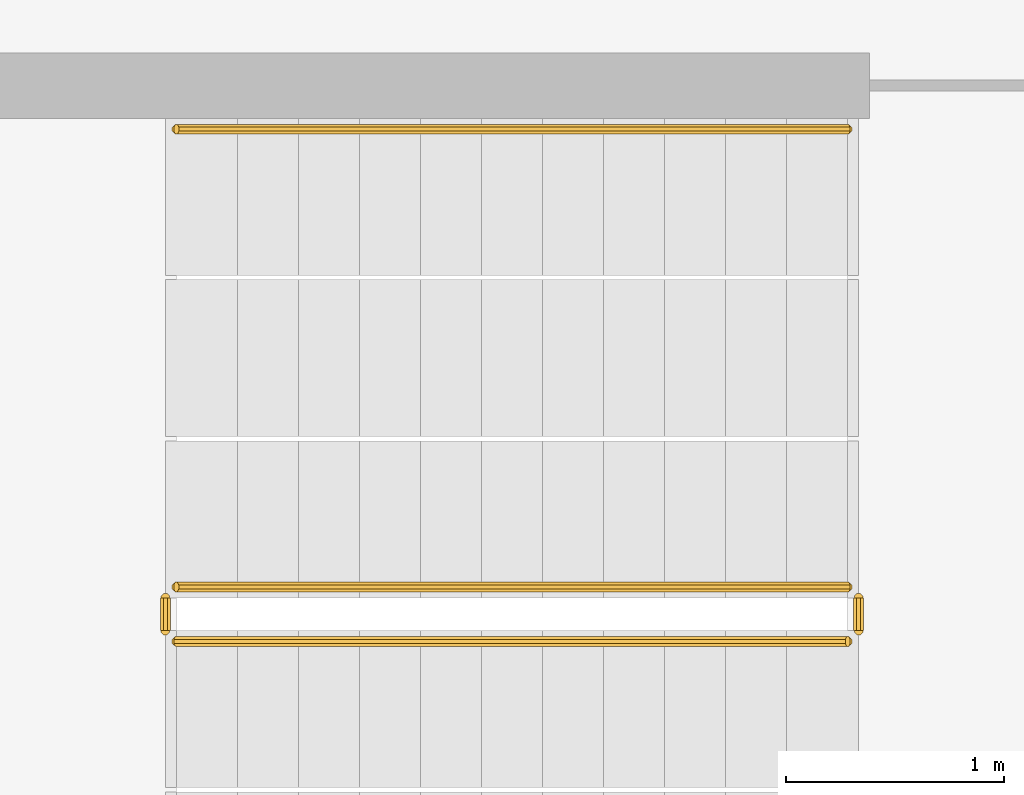
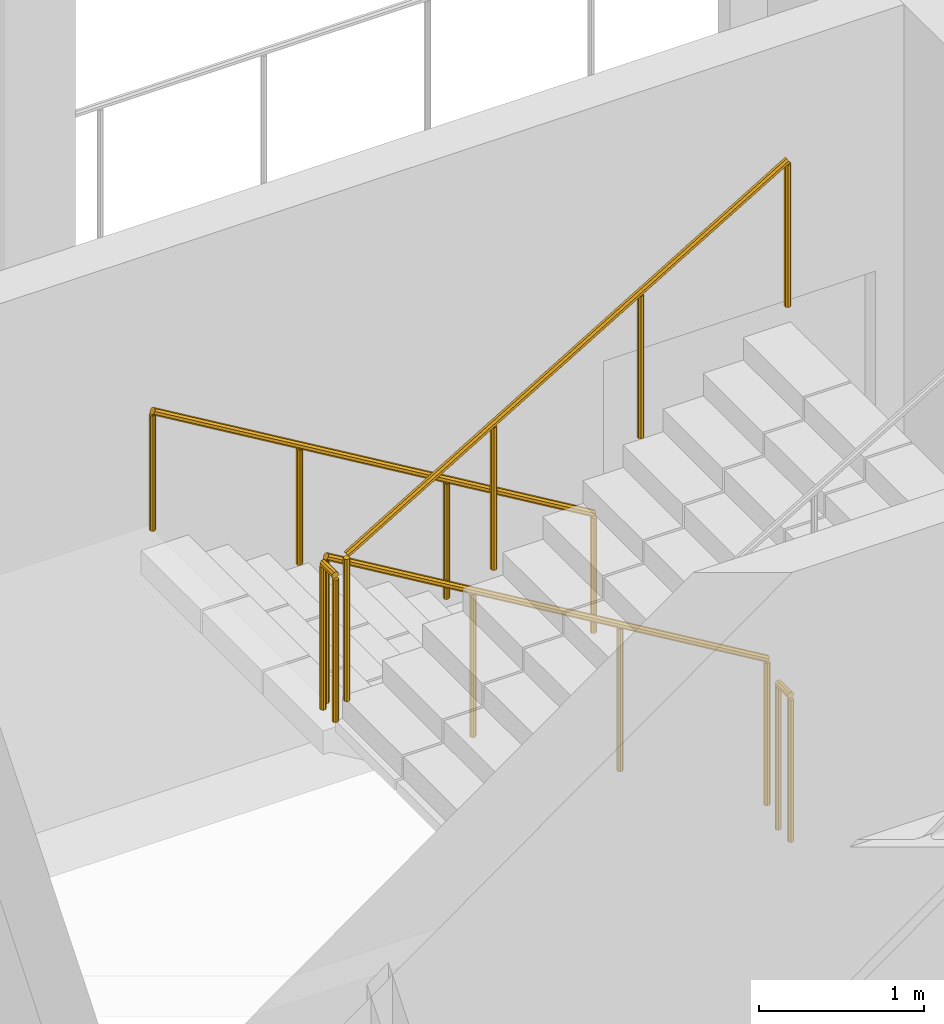
# One storey, part 20 of 28: 5 railings.
"""IFC4 building model written with IfcOpenShell, lengths in metres."""

from ifc_helpers import new_model, si_unit, direction, frame, origin, place, context, subcontext, project, spatial, polyline, outline, extrude, material, type_object, element, save


model = new_model("IFC4")

# Units and contexts
model_context = context("Model", 3, precision=1e-05, world=origin(), true_north=direction((0.0, 1.0)))
body_context = subcontext(model_context, "Body", "Model", "MODEL_VIEW")
ifc_project = project(units=[si_unit("LENGTHUNIT", "METRE"), si_unit("AREAUNIT", "SQUARE_METRE"), si_unit("VOLUMEUNIT", "CUBIC_METRE"), si_unit("PLANEANGLEUNIT", "RADIAN"), si_unit("MASSUNIT", "GRAM", prefix="KILO")], contexts=[model_context])

# Site, building, storey
site_placement = place(None, origin())
site = spatial("IfcSite", under=ifc_project, at=site_placement, CompositionType="ELEMENT")
building_placement = place(site_placement, origin())
building = spatial("IfcBuilding", under=site, at=building_placement, Name="Cormorant Relay Tower", CompositionType="ELEMENT")
storey_placement = place(building_placement, frame((0.0, 0.0, 166.199951171875)))
storey = spatial("IfcBuildingStorey", under=building, at=storey_placement, Name="L35", CompositionType="ELEMENT", Elevation=166.199951171875)

# Railings
ifc_material_1 = material(Name="Steel ASTM A572 Grade 50 (Fy 345 MPa)", Category="steel")
railing_type_1 = type_object("IfcRailingType", Name="Stair guard 1100", PredefinedType="GUARDRAIL", material=ifc_material_1)
railing_1_placement = place(storey_placement, frame((1.60009765625, -18.27490234375, 0.166748046875)))
element("IfcRailing", 1, at=railing_1_placement, inside=storey, type_object=railing_type_1, Name="L35 RK1 stair guard 1", PredefinedType="GUARDRAIL", context=body_context, shape_type="SweptSolid", body=[
    extrude(outline(polyline([(0.022216796875, 0.00927734375), (0.00927734375, 0.022216796875), (-0.00927734375, 0.022216796875), (-0.022216796875, 0.00927734375), (-0.022216796875, -0.00927734375), (-0.00927734375, -0.022216796875), (0.00927734375, -0.022216796875), (0.022216796875, -0.00927734375), (0.022216796875, 0.00927734375)])), frame((0.0, 0.0, 1.076171875), z_axis=(-0.859308565015, 0.0, 0.511457515432), x_axis=(0.0, -1.0, 0.0)), (0.0, 0.0, 1.0), 3.58447265625),
    extrude(outline(polyline([(0.019287109375, 0.008056640625), (0.008056640625, 0.019287109375), (-0.008056640625, 0.019287109375), (-0.019287109375, 0.008056640625), (-0.019287109375, -0.008056640625), (-0.008056640625, -0.019287109375), (0.008056640625, -0.019287109375), (0.019287109375, -0.008056640625), (0.019287109375, 0.008056640625)])), origin(), (0.0, 0.0, 1.0), 1.052001953125),
    extrude(outline(polyline([(0.019287109375, 0.008056640625), (0.008056640625, 0.019287109375), (-0.008056640625, 0.019287109375), (-0.019287109375, 0.008056640625), (-0.019287109375, -0.008056640625), (-0.008056640625, -0.019287109375), (0.008056640625, -0.019287109375), (0.019287109375, -0.008056640625), (0.019287109375, 0.008056640625)])), frame((-1.026611328125, 0.0, 0.611083984375)), (0.0, 0.0, 1.0), 1.052001953125),
    extrude(outline(polyline([(0.019287109375, 0.008056640625), (0.008056640625, 0.019287109375), (-0.008056640625, 0.019287109375), (-0.019287109375, 0.008056640625), (-0.019287109375, -0.008056640625), (-0.008056640625, -0.019287109375), (0.008056640625, -0.019287109375), (0.019287109375, -0.008056640625), (0.019287109375, 0.008056640625)])), frame((-2.053466796875, 0.0, 1.22216796875)), (0.0, 0.0, 1.0), 1.052001953125),
    extrude(outline(polyline([(0.019287109375, 0.008056640625), (0.008056640625, 0.019287109375), (-0.008056640625, 0.019287109375), (-0.019287109375, 0.008056640625), (-0.019287109375, -0.008056640625), (-0.008056640625, -0.019287109375), (0.008056640625, -0.019287109375), (0.019287109375, -0.008056640625), (0.019287109375, 0.008056640625)])), frame((-3.080078125, 0.0, 1.833251953125)), (0.0, 0.0, 1.0), 1.052001953125),
])
railing_2_placement = place(storey_placement, frame((-1.530029296875, -18.324951171875, 2.0)))
element("IfcRailing", 2, at=railing_2_placement, inside=storey, type_object=railing_type_1, Name="L35 RK1 stair guard 2", PredefinedType="GUARDRAIL", context=body_context, shape_type="SweptSolid", body=[
    extrude(outline(polyline([(0.022216796875, 0.00927734375), (0.00927734375, 0.022216796875), (-0.00927734375, 0.022216796875), (-0.022216796875, 0.00927734375), (-0.022216796875, -0.00927734375), (-0.00927734375, -0.022216796875), (0.00927734375, -0.022216796875), (0.022216796875, -0.00927734375), (0.022216796875, 0.00927734375)])), frame((0.0, 0.0, 1.076171875), z_axis=(0.0, -1.0, 0.0), x_axis=(1.0, 0.0, 0.0)), (0.0, 0.0, 1.0), 0.150146484375),
    extrude(outline(polyline([(0.019287109375, 0.008056640625), (0.008056640625, 0.019287109375), (-0.008056640625, 0.019287109375), (-0.019287109375, 0.008056640625), (-0.019287109375, -0.008056640625), (-0.008056640625, -0.019287109375), (0.008056640625, -0.019287109375), (0.019287109375, -0.008056640625), (0.019287109375, 0.008056640625)])), origin(), (0.0, 0.0, 1.0), 1.052001953125),
    extrude(outline(polyline([(0.019287109375, 0.008056640625), (0.008056640625, 0.019287109375), (-0.008056640625, 0.019287109375), (-0.019287109375, 0.008056640625), (-0.019287109375, -0.008056640625), (-0.008056640625, -0.019287109375), (0.008056640625, -0.019287109375), (0.019287109375, -0.008056640625), (0.019287109375, 0.008056640625)])), frame((0.0, -0.150146484375, 0.0)), (0.0, 0.0, 1.0), 1.052001953125),
])
railing_3_placement = place(storey_placement, frame((-1.47998046875, -18.52490234375, 2.166748046875)))
element("IfcRailing", 3, at=railing_3_placement, inside=storey, type_object=railing_type_1, Name="L35 RK1 stair guard 3", PredefinedType="GUARDRAIL", context=body_context, shape_type="SweptSolid", body=[
    extrude(outline(polyline([(0.022216796875, 0.00927734375), (0.00927734375, 0.022216796875), (-0.00927734375, 0.022216796875), (-0.022216796875, 0.00927734375), (-0.022216796875, -0.00927734375), (-0.00927734375, -0.022216796875), (0.00927734375, -0.022216796875), (0.022216796875, -0.00927734375), (0.022216796875, 0.00927734375)])), frame((0.0, 0.0, 1.076171875), z_axis=(0.859308565015, 0.0, 0.511457515432), x_axis=(0.0, 1.0, 0.0)), (0.0, 0.0, 1.0), 3.58447265625),
    extrude(outline(polyline([(0.019287109375, 0.008056640625), (0.008056640625, 0.019287109375), (-0.008056640625, 0.019287109375), (-0.019287109375, 0.008056640625), (-0.019287109375, -0.008056640625), (-0.008056640625, -0.019287109375), (0.008056640625, -0.019287109375), (0.019287109375, -0.008056640625), (0.019287109375, 0.008056640625)])), origin(), (0.0, 0.0, 1.0), 1.052001953125),
    extrude(outline(polyline([(0.019287109375, 0.008056640625), (0.008056640625, 0.019287109375), (-0.008056640625, 0.019287109375), (-0.019287109375, 0.008056640625), (-0.019287109375, -0.008056640625), (-0.008056640625, -0.019287109375), (0.008056640625, -0.019287109375), (0.019287109375, -0.008056640625), (0.019287109375, 0.008056640625)])), frame((1.026611328125, 0.0, 0.611083984375)), (0.0, 0.0, 1.0), 1.052001953125),
    extrude(outline(polyline([(0.019287109375, 0.008056640625), (0.008056640625, 0.019287109375), (-0.008056640625, 0.019287109375), (-0.019287109375, 0.008056640625), (-0.019287109375, -0.008056640625), (-0.008056640625, -0.019287109375), (0.008056640625, -0.019287109375), (0.019287109375, -0.008056640625), (0.019287109375, 0.008056640625)])), frame((2.053466796875, 0.0, 1.22216796875)), (0.0, 0.0, 1.0), 1.052001953125),
    extrude(outline(polyline([(0.019287109375, 0.008056640625), (0.008056640625, 0.019287109375), (-0.008056640625, 0.019287109375), (-0.019287109375, 0.008056640625), (-0.019287109375, -0.008056640625), (-0.008056640625, -0.019287109375), (0.008056640625, -0.019287109375), (0.019287109375, -0.008056640625), (0.019287109375, 0.008056640625)])), frame((3.080078125, 0.0, 1.833251953125)), (0.0, 0.0, 1.0), 1.052001953125),
])
railing_4_placement = place(storey_placement, frame((1.64990234375, -18.324951171875, 0.0)))
element("IfcRailing", 4, at=railing_4_placement, inside=storey, type_object=railing_type_1, Name="L35 RK1 stair guard 4", PredefinedType="GUARDRAIL", context=body_context, shape_type="SweptSolid", body=[
    extrude(outline(polyline([(0.022216796875, 0.00927734375), (0.00927734375, 0.022216796875), (-0.00927734375, 0.022216796875), (-0.022216796875, 0.00927734375), (-0.022216796875, -0.00927734375), (-0.00927734375, -0.022216796875), (0.00927734375, -0.022216796875), (0.022216796875, -0.00927734375), (0.022216796875, 0.00927734375)])), frame((0.0, 0.0, 1.076171875), z_axis=(0.0, -1.0, 0.0), x_axis=(1.0, 0.0, 0.0)), (0.0, 0.0, 1.0), 0.150146484375),
    extrude(outline(polyline([(0.019287109375, 0.008056640625), (0.008056640625, 0.019287109375), (-0.008056640625, 0.019287109375), (-0.019287109375, 0.008056640625), (-0.019287109375, -0.008056640625), (-0.008056640625, -0.019287109375), (0.008056640625, -0.019287109375), (0.019287109375, -0.008056640625), (0.019287109375, 0.008056640625)])), origin(), (0.0, 0.0, 1.0), 1.052001953125),
    extrude(outline(polyline([(0.019287109375, 0.008056640625), (0.008056640625, 0.019287109375), (-0.008056640625, 0.019287109375), (-0.019287109375, 0.008056640625), (-0.019287109375, -0.008056640625), (-0.008056640625, -0.019287109375), (0.008056640625, -0.019287109375), (0.019287109375, -0.008056640625), (0.019287109375, 0.008056640625)])), frame((0.0, -0.150146484375, 0.0)), (0.0, 0.0, 1.0), 1.052001953125),
])
ifc_material_2 = material(Name="Steel ASTM A572 Grade 50 (Fy 345 MPa)", Category="steel")
railing_type_2 = type_object("IfcRailingType", Name="Stair handrail 900", PredefinedType="HANDRAIL", material=ifc_material_2)
railing_5_placement = place(storey_placement, frame((1.60009765625, -16.175048828125, 0.166748046875)))
element("IfcRailing", 5, at=railing_5_placement, inside=storey, type_object=railing_type_2, Name="L35 RK1 stair handrail 1", PredefinedType="HANDRAIL", context=body_context, shape_type="SweptSolid", body=[
    extrude(outline(polyline([(0.022216796875, 0.00927734375), (0.00927734375, 0.022216796875), (-0.00927734375, 0.022216796875), (-0.022216796875, 0.00927734375), (-0.022216796875, -0.00927734375), (-0.00927734375, -0.022216796875), (0.00927734375, -0.022216796875), (0.022216796875, -0.00927734375), (0.022216796875, 0.00927734375)])), frame((0.0, 0.0, 0.8759765625), z_axis=(-0.859308565015, 0.0, 0.511457515432), x_axis=(0.0, -1.0, 0.0)), (0.0, 0.0, 1.0), 3.58447265625),
    extrude(outline(polyline([(0.019287109375, 0.008056640625), (0.008056640625, 0.019287109375), (-0.008056640625, 0.019287109375), (-0.019287109375, 0.008056640625), (-0.019287109375, -0.008056640625), (-0.008056640625, -0.019287109375), (0.008056640625, -0.019287109375), (0.019287109375, -0.008056640625), (0.019287109375, 0.008056640625)])), origin(), (0.0, 0.0, 1.0), 0.851806640625),
    extrude(outline(polyline([(0.019287109375, 0.008056640625), (0.008056640625, 0.019287109375), (-0.008056640625, 0.019287109375), (-0.019287109375, 0.008056640625), (-0.019287109375, -0.008056640625), (-0.008056640625, -0.019287109375), (0.008056640625, -0.019287109375), (0.019287109375, -0.008056640625), (0.019287109375, 0.008056640625)])), frame((-1.026611328125, 0.0, 0.611083984375)), (0.0, 0.0, 1.0), 0.851806640625),
    extrude(outline(polyline([(0.019287109375, 0.008056640625), (0.008056640625, 0.019287109375), (-0.008056640625, 0.019287109375), (-0.019287109375, 0.008056640625), (-0.019287109375, -0.008056640625), (-0.008056640625, -0.019287109375), (0.008056640625, -0.019287109375), (0.019287109375, -0.008056640625), (0.019287109375, 0.008056640625)])), frame((-2.053466796875, 0.0, 1.22216796875)), (0.0, 0.0, 1.0), 0.851806640625),
    extrude(outline(polyline([(0.019287109375, 0.008056640625), (0.008056640625, 0.019287109375), (-0.008056640625, 0.019287109375), (-0.019287109375, 0.008056640625), (-0.019287109375, -0.008056640625), (-0.008056640625, -0.019287109375), (0.008056640625, -0.019287109375), (0.019287109375, -0.008056640625), (0.019287109375, 0.008056640625)])), frame((-3.080078125, 0.0, 1.833251953125)), (0.0, 0.0, 1.0), 0.851806640625),
])

save(model, "model.ifc")
